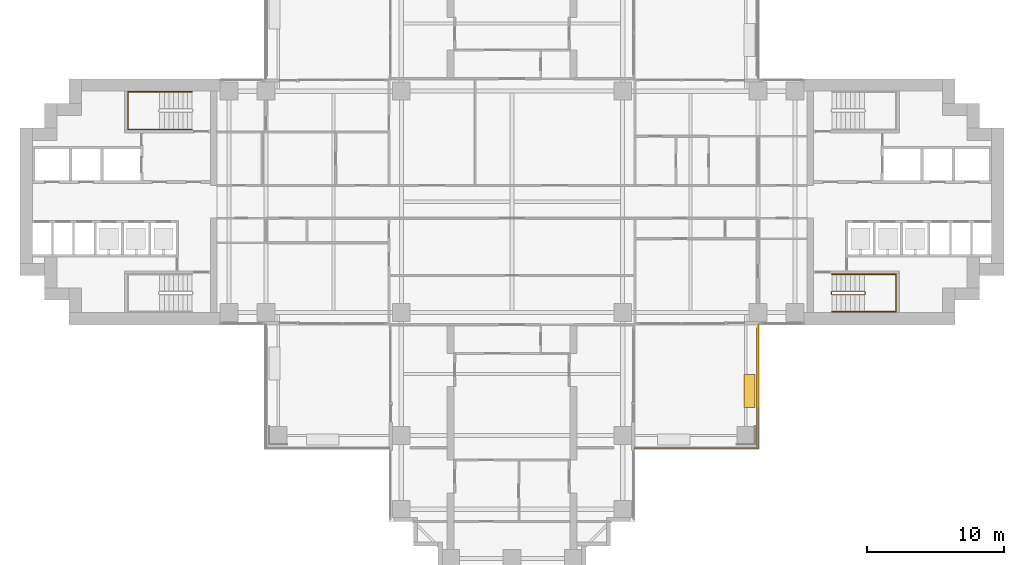
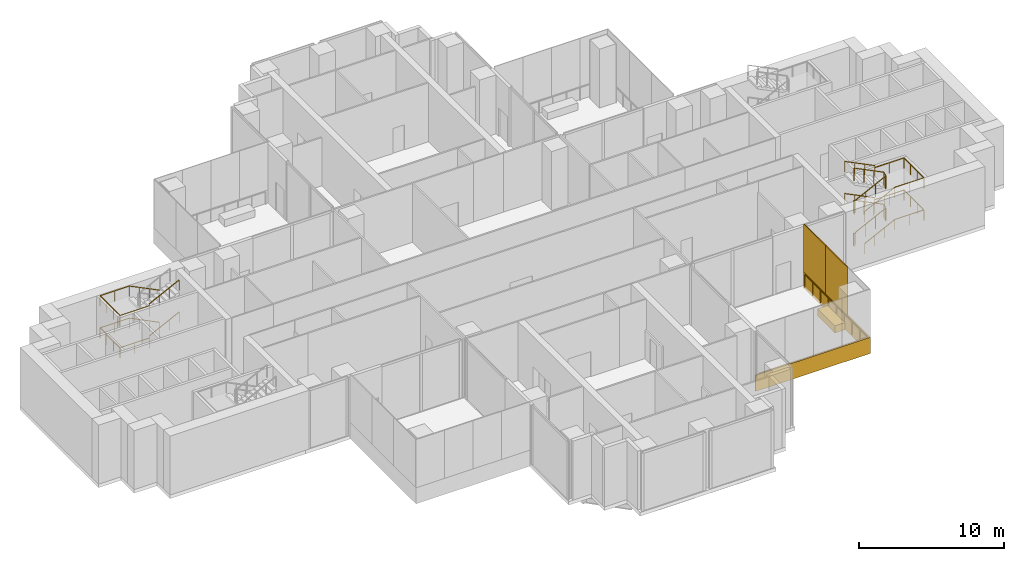
# One storey, part 14 of 17: 6 railings, 4 coverings.
"""IFC4 building model written with IfcOpenShell, lengths in metres."""

from ifc_helpers import new_model, si_unit, direction, frame, origin, origin_2d, place, context, subcontext, project, spatial, polyline, rectangle, outline, extrude, material, layer, layer_set, type_object, element, save


model = new_model("IFC4")

# Units and contexts
model_context = context("Model", 3, precision=1e-05, world=origin(), true_north=direction((0.0, 1.0)))
body_context = subcontext(model_context, "Body", "Model", "MODEL_VIEW")
ifc_project = project(units=[si_unit("LENGTHUNIT", "METRE"), si_unit("AREAUNIT", "SQUARE_METRE"), si_unit("VOLUMEUNIT", "CUBIC_METRE"), si_unit("PLANEANGLEUNIT", "RADIAN"), si_unit("MASSUNIT", "GRAM", prefix="KILO")], contexts=[model_context])

# Site, building, storey
site_placement = place(None, origin())
site = spatial("IfcSite", under=ifc_project, at=site_placement, CompositionType="ELEMENT")
building_placement = place(site_placement, origin())
building = spatial("IfcBuilding", under=site, at=building_placement, Name="Perihelion Cross Residences", CompositionType="ELEMENT")
storey_placement = place(building_placement, frame((0.0, 0.0, 92.5)))
storey = spatial("IfcBuildingStorey", under=building, at=storey_placement, Name="L21", CompositionType="ELEMENT", Elevation=92.5)

# Railing
ifc_material_1 = material(Name="Bronze anodised aluminium", Category="aluminium")
railing_type_1 = type_object("IfcRailingType", Name="Balcony guard 1100", PredefinedType="GUARDRAIL", material=ifc_material_1)
railing_1_placement = place(storey_placement, frame((17.93994140625, -9.25, 0.0)))
element("IfcRailing", 1, at=railing_1_placement, inside=storey, type_object=railing_type_1, Name="Guard GU1 L21 pocket south-east 1", PredefinedType="GUARDRAIL", context=body_context, shape_type="SweptSolid", body=[
    extrude(rectangle(XDim=0.048095703125, YDim=0.048095703125, at=origin_2d()), frame((0.0, 0.0, 1.076171875), z_axis=(0.0, -1.0, 0.0), x_axis=(1.0, 0.0, 0.0)), (0.0, 0.0, 1.0), 8.68994140625),
    extrude(rectangle(XDim=0.048095703125, YDim=0.048095703125, at=origin_2d()), frame((0.0, -8.68994140625, 1.076171875), z_axis=(-1.0, 0.0, 0.0), x_axis=(0.0, -1.0, 0.0)), (0.0, 0.0, 1.0), 8.68994140625),
    extrude(rectangle(XDim=0.0419921875, YDim=0.0419921875, at=origin_2d()), origin(), (0.0, 0.0, 1.0), 1.052001953125),
    extrude(rectangle(XDim=0.0419921875, YDim=0.0419921875, at=origin_2d()), frame((0.0, -1.086181640625, 0.0)), (0.0, 0.0, 1.0), 1.052001953125),
    extrude(rectangle(XDim=0.0419921875, YDim=0.0419921875, at=origin_2d()), frame((0.0, -2.17236328125, 0.0)), (0.0, 0.0, 1.0), 1.052001953125),
    extrude(rectangle(XDim=0.0419921875, YDim=0.0419921875, at=origin_2d()), frame((0.0, -3.2587890625, 0.0)), (0.0, 0.0, 1.0), 1.052001953125),
    extrude(rectangle(XDim=0.0419921875, YDim=0.0419921875, at=origin_2d()), frame((0.0, -4.344970703125, 0.0)), (0.0, 0.0, 1.0), 1.052001953125),
    extrude(rectangle(XDim=0.0419921875, YDim=0.0419921875, at=origin_2d()), frame((0.0, -5.43115234375, 0.0)), (0.0, 0.0, 1.0), 1.052001953125),
    extrude(rectangle(XDim=0.0419921875, YDim=0.0419921875, at=origin_2d()), frame((0.0, -6.517578125, 0.0)), (0.0, 0.0, 1.0), 1.052001953125),
    extrude(rectangle(XDim=0.0419921875, YDim=0.0419921875, at=origin_2d()), frame((0.0, -7.603759765625, 0.0)), (0.0, 0.0, 1.0), 1.052001953125),
    extrude(rectangle(XDim=0.0419921875, YDim=0.0419921875, at=origin_2d()), frame((0.0, -8.68994140625, 0.0)), (0.0, 0.0, 1.0), 1.052001953125),
    extrude(rectangle(XDim=0.0419921875, YDim=0.0419921875, at=origin_2d()), frame((-1.086181640625, -8.68994140625, 0.0)), (0.0, 0.0, 1.0), 1.052001953125),
    extrude(rectangle(XDim=0.0419921875, YDim=0.0419921875, at=origin_2d()), frame((-2.17236328125, -8.68994140625, 0.0)), (0.0, 0.0, 1.0), 1.052001953125),
    extrude(rectangle(XDim=0.0419921875, YDim=0.0419921875, at=origin_2d()), frame((-3.2587890625, -8.68994140625, 0.0)), (0.0, 0.0, 1.0), 1.052001953125),
    extrude(rectangle(XDim=0.0419921875, YDim=0.0419921875, at=origin_2d()), frame((-4.344970703125, -8.68994140625, 0.0)), (0.0, 0.0, 1.0), 1.052001953125),
    extrude(rectangle(XDim=0.0419921875, YDim=0.0419921875, at=origin_2d()), frame((-5.43115234375, -8.68994140625, 0.0)), (0.0, 0.0, 1.0), 1.052001953125),
    extrude(rectangle(XDim=0.0419921875, YDim=0.0419921875, at=origin_2d()), frame((-6.517578125, -8.68994140625, 0.0)), (0.0, 0.0, 1.0), 1.052001953125),
    extrude(rectangle(XDim=0.0419921875, YDim=0.0419921875, at=origin_2d()), frame((-7.603759765625, -8.68994140625, 0.0)), (0.0, 0.0, 1.0), 1.052001953125),
    extrude(rectangle(XDim=0.0419921875, YDim=0.0419921875, at=origin_2d()), frame((-8.68994140625, -8.68994140625, 0.0)), (0.0, 0.0, 1.0), 1.052001953125),
])

# Coverings
ifc_material_2 = material(Name="Precast concrete C40/50", Category="concrete")
covering_type_1 = type_object("IfcCoveringType", Name="Planter box 2400", PredefinedType="USERDEFINED", material=ifc_material_2)
covering_1_placement = place(storey_placement, frame((17.389892578125, -13.85009765625, 0.0), z_axis=(0.0, 0.0, 1.0), x_axis=(0.0, -1.0, 0.0)))
element("IfcCovering", 2, at=covering_1_placement, inside=storey, type_object=covering_type_1, Name="Planter PT1 L21 pocket south-east 1", ObjectType="PLANTER", PredefinedType="USERDEFINED", context=body_context, shape_type="SweptSolid", body=[
    extrude(rectangle(XDim=2.39990234375, YDim=0.800048828125, at=origin_2d()), origin(), (0.0, 0.0, 1.0), 0.60009765625),
])
ifc_material_3 = material(Name="Bronze anodised aluminium", Category="aluminium")
ifc_layer_1 = layer(ifc_material_3, 0.070068359375)
ifc_layer_set_1 = layer_set([ifc_layer_1], Name="Pocket fascia 1350")
covering_type_2 = type_object("IfcCoveringType", Name="Pocket fascia 1350", PredefinedType="CLADDING", material=ifc_layer_set_1)
covering_2_placement = place(storey_placement, frame((0.0, 0.0, -0.25)))
element("IfcCovering", 3, at=covering_2_placement, inside=storey, type_object=covering_type_2, Name="Fascia BF2 L21 pocket south-east 1", PredefinedType="CLADDING", context=body_context, shape_type="SweptSolid", body=[
    extrude(outline(polyline([(8.929931640625, -18.070068359375), (18.070068359375, -18.070068359375), (18.070068359375, -8.929931640625), (18.0, -8.929931640625), (18.0, -9.0), (18.0, -9.0), (18.0, -18.0), (9.0, -18.0), (9.0, -18.0), (8.929931640625, -18.0), (8.929931640625, -18.070068359375)])), origin(), (0.0, 0.0, 1.0), 1.35009765625),
])
ifc_material_4 = material(Name="Bronze perforated aluminium", Category="aluminium")
ifc_layer_2 = layer(ifc_material_4, 0.070068359375)
ifc_layer_set_2 = layer_set([ifc_layer_2], Name="Pocket solar screen, bronze perforated")
covering_type_3 = type_object("IfcCoveringType", Name="Pocket solar screen, bronze perforated", PredefinedType="CLADDING", material=ifc_layer_set_2)
covering_3_placement = place(storey_placement, frame((0.0, 0.0, 1.10009765625)))
element("IfcCovering", 4, at=covering_3_placement, inside=storey, type_object=covering_type_3, Name="Solar screen PS1 L21 pocket south-east no. 2", PredefinedType="CLADDING", context=body_context, shape_type="SweptSolid", body=[
    extrude(outline(polyline([(18.070068359375, -15.0), (18.070068359375, -12.0), (18.0, -12.0), (18.0, -15.0), (18.070068359375, -15.0)])), origin(), (0.0, 0.0, 1.0), 4.0498046875),
])
covering_4_placement = place(storey_placement, frame((0.0, 0.0, 1.10009765625)))
element("IfcCovering", 5, at=covering_4_placement, inside=storey, type_object=covering_type_3, Name="Solar screen PS1 L21 pocket south-east no. 3", PredefinedType="CLADDING", context=body_context, shape_type="SweptSolid", body=[
    extrude(outline(polyline([(18.070068359375, -12.0), (18.070068359375, -9.0), (18.0, -9.0), (18.0, -12.0), (18.070068359375, -12.0)])), origin(), (0.0, 0.0, 1.0), 4.0498046875),
])

# Railings
ifc_material_5 = material(Name="Stainless steel", Category="steel")
railing_type_2 = type_object("IfcRailingType", Name="Stair guard 1100", PredefinedType="GUARDRAIL", material=ifc_material_5)
railing_2_placement = place(storey_placement, frame((23.35009765625, -6.60009765625, 0.0)))
element("IfcRailing", 6, at=railing_2_placement, inside=storey, type_object=railing_type_2, Name="L21 ST-E2 stair guard 1", PredefinedType="GUARDRAIL", context=body_context, shape_type="SweptSolid", body=[
    extrude(rectangle(XDim=0.048095703125, YDim=0.048095703125, at=origin_2d()), frame((0.0, 0.0, 1.076171875), z_axis=(0.0, -1.0, 0.0), x_axis=(1.0, 0.0, 0.0)), (0.0, 0.0, 1.0), 0.14990234375),
    extrude(rectangle(XDim=0.048095703125, YDim=0.048095703125, at=origin_2d()), frame((0.0, -0.14990234375, 1.076171875), z_axis=(0.272333783174, -0.273668752699, 0.922463942026), x_axis=(0.708833529934, 0.705375805398, 0.0)), (0.0, 0.0, 1.0), 0.182861328125),
    extrude(rectangle(XDim=0.048095703125, YDim=0.048095703125, at=origin_2d()), frame((0.0498046875, -0.199951171875, 1.24462890625), z_axis=(0.895728066128, 0.0, 0.444602329674), x_axis=(0.0, 1.0, 0.0)), (0.0, 0.0, 1.0), 2.6572265625),
    extrude(rectangle(XDim=0.048095703125, YDim=0.048095703125, at=origin_2d()), frame((2.429931640625, -0.199951171875, 2.42626953125), z_axis=(0.707106781187, 0.707106781187, 0.0), x_axis=(-0.707106781187, 0.707106781187, 0.0)), (0.0, 0.0, 1.0), 0.07080078125),
    extrude(rectangle(XDim=0.048095703125, YDim=0.048095703125, at=origin_2d()), frame((2.47998046875, -0.14990234375, 2.42626953125), z_axis=(0.0, 1.0, 0.0), x_axis=(-1.0, 0.0, 0.0)), (0.0, 0.0, 1.0), 0.14990234375),
    extrude(rectangle(XDim=0.048095703125, YDim=0.048095703125, at=origin_2d()), frame((2.47998046875, 0.0, 2.42626953125), z_axis=(-0.273569069059, 0.273569069059, 0.922127935218), x_axis=(-0.707106781187, -0.707106781187, 0.0)), (0.0, 0.0, 1.0), 0.182861328125),
    extrude(rectangle(XDim=0.048095703125, YDim=0.048095703125, at=origin_2d()), frame((2.429931640625, 0.050048828125, 2.5947265625), z_axis=(-0.895764654725, 0.0, 0.444528608017), x_axis=(0.0, -1.0, 0.0)), (0.0, 0.0, 1.0), 2.656982421875),
    extrude(rectangle(XDim=0.048095703125, YDim=0.048095703125, at=origin_2d()), frame((0.0498046875, 0.050048828125, 3.77587890625), z_axis=(-0.241699205484, -0.970351222016, 0.0), x_axis=(0.970351222016, -0.241699205484, 0.0)), (0.0, 0.0, 1.0), 0.2060546875),
    extrude(rectangle(XDim=0.048095703125, YDim=0.048095703125, at=origin_2d()), frame((0.0, -0.14990234375, 3.77587890625), z_axis=(0.0, 1.0, 0.0), x_axis=(-1.0, 0.0, 0.0)), (0.0, 0.0, 1.0), 0.14990234375),
    extrude(rectangle(XDim=0.048095703125, YDim=0.048095703125, at=origin_2d()), frame((0.0, 0.0, 3.77587890625), z_axis=(0.187017651923, -0.750820867278, 0.633476458228), x_axis=(0.970351222016, 0.241699205484, 0.0)), (0.0, 0.0, 1.0), 0.266357421875),
    extrude(rectangle(XDim=0.048095703125, YDim=0.048095703125, at=origin_2d()), frame((0.0498046875, -0.199951171875, 3.94482421875), z_axis=(0.895728066128, 0.0, 0.444602329674), x_axis=(0.0, 1.0, 0.0)), (0.0, 0.0, 1.0), 2.6572265625),
    extrude(rectangle(XDim=0.048095703125, YDim=0.048095703125, at=origin_2d()), frame((2.429931640625, -0.199951171875, 5.1259765625), z_axis=(0.707106781187, 0.707106781187, 0.0), x_axis=(-0.707106781187, 0.707106781187, 0.0)), (0.0, 0.0, 1.0), 0.07080078125),
    extrude(rectangle(XDim=0.048095703125, YDim=0.048095703125, at=origin_2d()), frame((2.47998046875, -0.14990234375, 5.1259765625), z_axis=(0.0, 1.0, 0.0), x_axis=(-1.0, 0.0, 0.0)), (0.0, 0.0, 1.0), 0.14990234375),
    extrude(rectangle(XDim=0.048095703125, YDim=0.048095703125, at=origin_2d()), frame((2.47998046875, 0.0, 5.1259765625), z_axis=(-0.273569069059, 0.273569069059, 0.922127935218), x_axis=(-0.707106781187, -0.707106781187, 0.0)), (0.0, 0.0, 1.0), 0.182861328125),
    extrude(rectangle(XDim=0.048095703125, YDim=0.048095703125, at=origin_2d()), frame((2.429931640625, 0.050048828125, 5.294921875), z_axis=(-0.895764654725, 0.0, 0.444528608017), x_axis=(0.0, -1.0, 0.0)), (0.0, 0.0, 1.0), 2.656982421875),
    extrude(rectangle(XDim=0.0419921875, YDim=0.0419921875, at=origin_2d()), origin(), (0.0, 0.0, 1.0), 1.052001953125),
    extrude(rectangle(XDim=0.0419921875, YDim=0.0419921875, at=origin_2d()), frame((0.0, -0.14990234375, 0.0)), (0.0, 0.0, 1.0), 1.052001953125),
    extrude(rectangle(XDim=0.0419921875, YDim=0.0419921875, at=origin_2d()), frame((0.0498046875, -0.199951171875, 0.168701171875)), (0.0, 0.0, 1.0), 1.052001953125),
    extrude(rectangle(XDim=0.0419921875, YDim=0.0419921875, at=origin_2d()), frame((0.84326171875, -0.199951171875, 0.5625)), (0.0, 0.0, 1.0), 1.052001953125),
    extrude(rectangle(XDim=0.0419921875, YDim=0.0419921875, at=origin_2d()), frame((1.636474609375, -0.199951171875, 0.956298828125)), (0.0, 0.0, 1.0), 1.052001953125),
    extrude(rectangle(XDim=0.0419921875, YDim=0.0419921875, at=origin_2d()), frame((2.429931640625, -0.199951171875, 1.35009765625)), (0.0, 0.0, 1.0), 1.052001953125),
    extrude(rectangle(XDim=0.0419921875, YDim=0.0419921875, at=origin_2d()), frame((2.47998046875, -0.14990234375, 1.35009765625)), (0.0, 0.0, 1.0), 1.052001953125),
    extrude(rectangle(XDim=0.0419921875, YDim=0.0419921875, at=origin_2d()), frame((2.47998046875, 0.0, 1.35009765625)), (0.0, 0.0, 1.0), 1.052001953125),
    extrude(rectangle(XDim=0.0419921875, YDim=0.0419921875, at=origin_2d()), frame((2.429931640625, 0.050048828125, 1.518798828125)), (0.0, 0.0, 1.0), 1.052001953125),
    extrude(rectangle(XDim=0.0419921875, YDim=0.0419921875, at=origin_2d()), frame((1.636474609375, 0.050048828125, 1.91259765625)), (0.0, 0.0, 1.0), 1.052001953125),
    extrude(rectangle(XDim=0.0419921875, YDim=0.0419921875, at=origin_2d()), frame((0.84326171875, 0.050048828125, 2.30615234375)), (0.0, 0.0, 1.0), 1.052001953125),
    extrude(rectangle(XDim=0.0419921875, YDim=0.0419921875, at=origin_2d()), frame((0.0498046875, 0.050048828125, 2.699951171875)), (0.0, 0.0, 1.0), 1.052001953125),
    extrude(rectangle(XDim=0.0419921875, YDim=0.0419921875, at=origin_2d()), frame((0.0, -0.14990234375, 2.699951171875)), (0.0, 0.0, 1.0), 1.052001953125),
    extrude(rectangle(XDim=0.0419921875, YDim=0.0419921875, at=origin_2d()), frame((0.0, 0.0, 2.699951171875)), (0.0, 0.0, 1.0), 1.052001953125),
    extrude(rectangle(XDim=0.0419921875, YDim=0.0419921875, at=origin_2d()), frame((0.0498046875, -0.199951171875, 2.86865234375)), (0.0, 0.0, 1.0), 1.052001953125),
    extrude(rectangle(XDim=0.0419921875, YDim=0.0419921875, at=origin_2d()), frame((0.84326171875, -0.199951171875, 3.262451171875)), (0.0, 0.0, 1.0), 1.052001953125),
    extrude(rectangle(XDim=0.0419921875, YDim=0.0419921875, at=origin_2d()), frame((1.636474609375, -0.199951171875, 3.65625)), (0.0, 0.0, 1.0), 1.052001953125),
    extrude(rectangle(XDim=0.0419921875, YDim=0.0419921875, at=origin_2d()), frame((2.429931640625, -0.199951171875, 4.050048828125)), (0.0, 0.0, 1.0), 1.052001953125),
    extrude(rectangle(XDim=0.0419921875, YDim=0.0419921875, at=origin_2d()), frame((2.47998046875, -0.14990234375, 4.050048828125)), (0.0, 0.0, 1.0), 1.052001953125),
    extrude(rectangle(XDim=0.0419921875, YDim=0.0419921875, at=origin_2d()), frame((2.47998046875, 0.0, 4.050048828125)), (0.0, 0.0, 1.0), 1.052001953125),
    extrude(rectangle(XDim=0.0419921875, YDim=0.0419921875, at=origin_2d()), frame((2.429931640625, 0.050048828125, 4.21875)), (0.0, 0.0, 1.0), 1.052001953125),
    extrude(rectangle(XDim=0.0419921875, YDim=0.0419921875, at=origin_2d()), frame((1.636474609375, 0.050048828125, 4.612548828125)), (0.0, 0.0, 1.0), 1.052001953125),
    extrude(rectangle(XDim=0.0419921875, YDim=0.0419921875, at=origin_2d()), frame((0.84326171875, 0.050048828125, 5.006103515625)), (0.0, 0.0, 1.0), 1.052001953125),
    extrude(rectangle(XDim=0.0419921875, YDim=0.0419921875, at=origin_2d()), frame((0.0498046875, 0.050048828125, 5.39990234375)), (0.0, 0.0, 1.0), 1.052001953125),
])
ifc_material_6 = material(Name="Stainless steel", Category="steel")
railing_type_3 = type_object("IfcRailingType", Name="Stair handrail 900", PredefinedType="HANDRAIL", material=ifc_material_6)
railing_3_placement = place(storey_placement, frame((23.39990234375, -8.050048828125, 0.168701171875)))
element("IfcRailing", 7, at=railing_3_placement, inside=storey, type_object=railing_type_3, Name="L21 ST-E2 stair handrail 1", PredefinedType="HANDRAIL", context=body_context, shape_type="SweptSolid", body=[
    extrude(rectangle(XDim=0.048095703125, YDim=0.048095703125, at=origin_2d()), frame((0.0, 0.0, 0.8759765625), z_axis=(0.895728066128, 0.0, 0.444602329674), x_axis=(0.0, 1.0, 0.0)), (0.0, 0.0, 1.0), 2.6572265625),
    extrude(rectangle(XDim=0.048095703125, YDim=0.048095703125, at=origin_2d()), frame((2.380126953125, 0.0, 2.05712890625), z_axis=(1.0, 0.0, 0.0), x_axis=(0.0, 1.0, 0.0)), (0.0, 0.0, 1.0), 2.320068359375),
    extrude(rectangle(XDim=0.048095703125, YDim=0.048095703125, at=origin_2d()), frame((4.7001953125, 0.0, 2.05712890625), z_axis=(0.0, 1.0, 0.0), x_axis=(-1.0, 0.0, 0.0)), (0.0, 0.0, 1.0), 2.75),
    extrude(rectangle(XDim=0.048095703125, YDim=0.048095703125, at=origin_2d()), frame((4.7001953125, 2.75, 2.05712890625), z_axis=(-1.0, 0.0, 0.0), x_axis=(0.0, -1.0, 0.0)), (0.0, 0.0, 1.0), 2.320068359375),
    extrude(rectangle(XDim=0.048095703125, YDim=0.048095703125, at=origin_2d()), frame((2.380126953125, 2.75, 2.05712890625), z_axis=(0.0, 0.0, 1.0), x_axis=(1.0, 0.0, 0.0)), (0.0, 0.0, 1.0), 0.168701171875),
    extrude(rectangle(XDim=0.048095703125, YDim=0.048095703125, at=origin_2d()), frame((2.380126953125, 2.75, 2.22607421875), z_axis=(-0.895764654725, 0.0, 0.444528608017), x_axis=(0.0, -1.0, 0.0)), (0.0, 0.0, 1.0), 2.656982421875),
    extrude(rectangle(XDim=0.0419921875, YDim=0.0419921875, at=origin_2d()), origin(), (0.0, 0.0, 1.0), 0.851806640625),
    extrude(rectangle(XDim=0.0419921875, YDim=0.0419921875, at=origin_2d()), frame((0.79345703125, 0.0, 0.393798828125)), (0.0, 0.0, 1.0), 0.851806640625),
    extrude(rectangle(XDim=0.0419921875, YDim=0.0419921875, at=origin_2d()), frame((1.586669921875, 0.0, 0.78759765625)), (0.0, 0.0, 1.0), 0.851806640625),
    extrude(rectangle(XDim=0.0419921875, YDim=0.0419921875, at=origin_2d()), frame((2.380126953125, 0.0, 1.181396484375)), (0.0, 0.0, 1.0), 0.851806640625),
    extrude(rectangle(XDim=0.0419921875, YDim=0.0419921875, at=origin_2d()), frame((3.5400390625, 0.0, 1.181396484375)), (0.0, 0.0, 1.0), 0.851806640625),
    extrude(rectangle(XDim=0.0419921875, YDim=0.0419921875, at=origin_2d()), frame((4.7001953125, 0.0, 1.181396484375)), (0.0, 0.0, 1.0), 0.851806640625),
    extrude(rectangle(XDim=0.0419921875, YDim=0.0419921875, at=origin_2d()), frame((4.7001953125, 0.916748046875, 1.181396484375)), (0.0, 0.0, 1.0), 0.851806640625),
    extrude(rectangle(XDim=0.0419921875, YDim=0.0419921875, at=origin_2d()), frame((4.7001953125, 1.833251953125, 1.181396484375)), (0.0, 0.0, 1.0), 0.851806640625),
    extrude(rectangle(XDim=0.0419921875, YDim=0.0419921875, at=origin_2d()), frame((4.7001953125, 2.75, 1.181396484375)), (0.0, 0.0, 1.0), 0.851806640625),
    extrude(rectangle(XDim=0.0419921875, YDim=0.0419921875, at=origin_2d()), frame((3.5400390625, 2.75, 1.181396484375)), (0.0, 0.0, 1.0), 0.851806640625),
    extrude(rectangle(XDim=0.0419921875, YDim=0.0419921875, at=origin_2d()), frame((2.380126953125, 2.75, 1.181396484375)), (0.0, 0.0, 1.0), 0.851806640625),
    extrude(rectangle(XDim=0.0419921875, YDim=0.0419921875, at=origin_2d()), frame((2.380126953125, 2.75, 1.35009765625)), (0.0, 0.0, 1.0), 0.851806640625),
    extrude(rectangle(XDim=0.0419921875, YDim=0.0419921875, at=origin_2d()), frame((1.586669921875, 2.75, 1.743896484375)), (0.0, 0.0, 1.0), 0.851806640625),
    extrude(rectangle(XDim=0.0419921875, YDim=0.0419921875, at=origin_2d()), frame((0.79345703125, 2.75, 2.137451171875)), (0.0, 0.0, 1.0), 0.851806640625),
    extrude(rectangle(XDim=0.0419921875, YDim=0.0419921875, at=origin_2d()), frame((0.0, 2.75, 2.53125)), (0.0, 0.0, 1.0), 0.851806640625),
])
railing_4_placement = place(storey_placement, frame((23.39990234375, -8.050048828125, 2.86865234375)))
element("IfcRailing", 8, at=railing_4_placement, inside=storey, type_object=railing_type_3, Name="L21 ST-E2 stair handrail 2", PredefinedType="HANDRAIL", context=body_context, shape_type="SweptSolid", body=[
    extrude(rectangle(XDim=0.048095703125, YDim=0.048095703125, at=origin_2d()), frame((0.0, 0.0, 0.8759765625), z_axis=(0.895728066128, 0.0, 0.444602329674), x_axis=(0.0, 1.0, 0.0)), (0.0, 0.0, 1.0), 2.6572265625),
    extrude(rectangle(XDim=0.048095703125, YDim=0.048095703125, at=origin_2d()), frame((2.380126953125, 0.0, 2.05712890625), z_axis=(1.0, 0.0, 0.0), x_axis=(0.0, 1.0, 0.0)), (0.0, 0.0, 1.0), 2.320068359375),
    extrude(rectangle(XDim=0.048095703125, YDim=0.048095703125, at=origin_2d()), frame((4.7001953125, 0.0, 2.05712890625), z_axis=(0.0, 1.0, 0.0), x_axis=(-1.0, 0.0, 0.0)), (0.0, 0.0, 1.0), 2.75),
    extrude(rectangle(XDim=0.048095703125, YDim=0.048095703125, at=origin_2d()), frame((4.7001953125, 2.75, 2.05712890625), z_axis=(-1.0, 0.0, 0.0), x_axis=(0.0, -1.0, 0.0)), (0.0, 0.0, 1.0), 2.320068359375),
    extrude(rectangle(XDim=0.048095703125, YDim=0.048095703125, at=origin_2d()), frame((2.380126953125, 2.75, 2.05712890625), z_axis=(0.0, 0.0, 1.0), x_axis=(1.0, 0.0, 0.0)), (0.0, 0.0, 1.0), 0.168701171875),
    extrude(rectangle(XDim=0.048095703125, YDim=0.048095703125, at=origin_2d()), frame((2.380126953125, 2.75, 2.22607421875), z_axis=(-0.895764654725, 0.0, 0.444528608017), x_axis=(0.0, -1.0, 0.0)), (0.0, 0.0, 1.0), 2.656982421875),
    extrude(rectangle(XDim=0.0419921875, YDim=0.0419921875, at=origin_2d()), origin(), (0.0, 0.0, 1.0), 0.851806640625),
    extrude(rectangle(XDim=0.0419921875, YDim=0.0419921875, at=origin_2d()), frame((0.79345703125, 0.0, 0.393798828125)), (0.0, 0.0, 1.0), 0.851806640625),
    extrude(rectangle(XDim=0.0419921875, YDim=0.0419921875, at=origin_2d()), frame((1.586669921875, 0.0, 0.78759765625)), (0.0, 0.0, 1.0), 0.851806640625),
    extrude(rectangle(XDim=0.0419921875, YDim=0.0419921875, at=origin_2d()), frame((2.380126953125, 0.0, 1.181396484375)), (0.0, 0.0, 1.0), 0.851806640625),
    extrude(rectangle(XDim=0.0419921875, YDim=0.0419921875, at=origin_2d()), frame((3.5400390625, 0.0, 1.181396484375)), (0.0, 0.0, 1.0), 0.851806640625),
    extrude(rectangle(XDim=0.0419921875, YDim=0.0419921875, at=origin_2d()), frame((4.7001953125, 0.0, 1.181396484375)), (0.0, 0.0, 1.0), 0.851806640625),
    extrude(rectangle(XDim=0.0419921875, YDim=0.0419921875, at=origin_2d()), frame((4.7001953125, 0.916748046875, 1.181396484375)), (0.0, 0.0, 1.0), 0.851806640625),
    extrude(rectangle(XDim=0.0419921875, YDim=0.0419921875, at=origin_2d()), frame((4.7001953125, 1.833251953125, 1.181396484375)), (0.0, 0.0, 1.0), 0.851806640625),
    extrude(rectangle(XDim=0.0419921875, YDim=0.0419921875, at=origin_2d()), frame((4.7001953125, 2.75, 1.181396484375)), (0.0, 0.0, 1.0), 0.851806640625),
    extrude(rectangle(XDim=0.0419921875, YDim=0.0419921875, at=origin_2d()), frame((3.5400390625, 2.75, 1.181396484375)), (0.0, 0.0, 1.0), 0.851806640625),
    extrude(rectangle(XDim=0.0419921875, YDim=0.0419921875, at=origin_2d()), frame((2.380126953125, 2.75, 1.181396484375)), (0.0, 0.0, 1.0), 0.851806640625),
    extrude(rectangle(XDim=0.0419921875, YDim=0.0419921875, at=origin_2d()), frame((2.380126953125, 2.75, 1.35009765625)), (0.0, 0.0, 1.0), 0.851806640625),
    extrude(rectangle(XDim=0.0419921875, YDim=0.0419921875, at=origin_2d()), frame((1.586669921875, 2.75, 1.743896484375)), (0.0, 0.0, 1.0), 0.851806640625),
    extrude(rectangle(XDim=0.0419921875, YDim=0.0419921875, at=origin_2d()), frame((0.79345703125, 2.75, 2.137451171875)), (0.0, 0.0, 1.0), 0.851806640625),
    extrude(rectangle(XDim=0.0419921875, YDim=0.0419921875, at=origin_2d()), frame((0.0, 2.75, 2.53125)), (0.0, 0.0, 1.0), 0.851806640625),
])
railing_5_placement = place(storey_placement, frame((-23.39990234375, 8.050048828125, 0.168701171875)))
element("IfcRailing", 9, at=railing_5_placement, inside=storey, type_object=railing_type_3, Name="L21 ST-W1 stair handrail 1", PredefinedType="HANDRAIL", context=body_context, shape_type="SweptSolid", body=[
    extrude(rectangle(XDim=0.048095703125, YDim=0.048095703125, at=origin_2d()), frame((0.0, 0.0, 0.8759765625), z_axis=(-0.895728066128, 0.0, 0.444602329674), x_axis=(0.0, -1.0, 0.0)), (0.0, 0.0, 1.0), 2.6572265625),
    extrude(rectangle(XDim=0.048095703125, YDim=0.048095703125, at=origin_2d()), frame((-2.380126953125, 0.0, 2.05712890625), z_axis=(-1.0, 0.0, 0.0), x_axis=(0.0, -1.0, 0.0)), (0.0, 0.0, 1.0), 2.320068359375),
    extrude(rectangle(XDim=0.048095703125, YDim=0.048095703125, at=origin_2d()), frame((-4.7001953125, 0.0, 2.05712890625), z_axis=(0.0, -1.0, 0.0), x_axis=(1.0, 0.0, 0.0)), (0.0, 0.0, 1.0), 2.75),
    extrude(rectangle(XDim=0.048095703125, YDim=0.048095703125, at=origin_2d()), frame((-4.7001953125, -2.75, 2.05712890625), z_axis=(1.0, 0.0, 0.0), x_axis=(0.0, 1.0, 0.0)), (0.0, 0.0, 1.0), 2.320068359375),
    extrude(rectangle(XDim=0.048095703125, YDim=0.048095703125, at=origin_2d()), frame((-2.380126953125, -2.75, 2.05712890625), z_axis=(0.0, 0.0, 1.0), x_axis=(1.0, 0.0, 0.0)), (0.0, 0.0, 1.0), 0.168701171875),
    extrude(rectangle(XDim=0.048095703125, YDim=0.048095703125, at=origin_2d()), frame((-2.380126953125, -2.75, 2.22607421875), z_axis=(0.895764654725, 0.0, 0.444528608017), x_axis=(0.0, 1.0, 0.0)), (0.0, 0.0, 1.0), 2.656982421875),
    extrude(rectangle(XDim=0.0419921875, YDim=0.0419921875, at=origin_2d()), origin(), (0.0, 0.0, 1.0), 0.851806640625),
    extrude(rectangle(XDim=0.0419921875, YDim=0.0419921875, at=origin_2d()), frame((-0.79345703125, 0.0, 0.393798828125)), (0.0, 0.0, 1.0), 0.851806640625),
    extrude(rectangle(XDim=0.0419921875, YDim=0.0419921875, at=origin_2d()), frame((-1.586669921875, 0.0, 0.78759765625)), (0.0, 0.0, 1.0), 0.851806640625),
    extrude(rectangle(XDim=0.0419921875, YDim=0.0419921875, at=origin_2d()), frame((-2.380126953125, 0.0, 1.181396484375)), (0.0, 0.0, 1.0), 0.851806640625),
    extrude(rectangle(XDim=0.0419921875, YDim=0.0419921875, at=origin_2d()), frame((-3.5400390625, 0.0, 1.181396484375)), (0.0, 0.0, 1.0), 0.851806640625),
    extrude(rectangle(XDim=0.0419921875, YDim=0.0419921875, at=origin_2d()), frame((-4.7001953125, 0.0, 1.181396484375)), (0.0, 0.0, 1.0), 0.851806640625),
    extrude(rectangle(XDim=0.0419921875, YDim=0.0419921875, at=origin_2d()), frame((-4.7001953125, -0.916748046875, 1.181396484375)), (0.0, 0.0, 1.0), 0.851806640625),
    extrude(rectangle(XDim=0.0419921875, YDim=0.0419921875, at=origin_2d()), frame((-4.7001953125, -1.833251953125, 1.181396484375)), (0.0, 0.0, 1.0), 0.851806640625),
    extrude(rectangle(XDim=0.0419921875, YDim=0.0419921875, at=origin_2d()), frame((-4.7001953125, -2.75, 1.181396484375)), (0.0, 0.0, 1.0), 0.851806640625),
    extrude(rectangle(XDim=0.0419921875, YDim=0.0419921875, at=origin_2d()), frame((-3.5400390625, -2.75, 1.181396484375)), (0.0, 0.0, 1.0), 0.851806640625),
    extrude(rectangle(XDim=0.0419921875, YDim=0.0419921875, at=origin_2d()), frame((-2.380126953125, -2.75, 1.181396484375)), (0.0, 0.0, 1.0), 0.851806640625),
    extrude(rectangle(XDim=0.0419921875, YDim=0.0419921875, at=origin_2d()), frame((-2.380126953125, -2.75, 1.35009765625)), (0.0, 0.0, 1.0), 0.851806640625),
    extrude(rectangle(XDim=0.0419921875, YDim=0.0419921875, at=origin_2d()), frame((-1.586669921875, -2.75, 1.743896484375)), (0.0, 0.0, 1.0), 0.851806640625),
    extrude(rectangle(XDim=0.0419921875, YDim=0.0419921875, at=origin_2d()), frame((-0.79345703125, -2.75, 2.137451171875)), (0.0, 0.0, 1.0), 0.851806640625),
    extrude(rectangle(XDim=0.0419921875, YDim=0.0419921875, at=origin_2d()), frame((0.0, -2.75, 2.53125)), (0.0, 0.0, 1.0), 0.851806640625),
])
railing_6_placement = place(storey_placement, frame((-23.39990234375, 8.050048828125, 2.86865234375)))
element("IfcRailing", 10, at=railing_6_placement, inside=storey, type_object=railing_type_3, Name="L21 ST-W1 stair handrail 2", PredefinedType="HANDRAIL", context=body_context, shape_type="SweptSolid", body=[
    extrude(rectangle(XDim=0.048095703125, YDim=0.048095703125, at=origin_2d()), frame((0.0, 0.0, 0.8759765625), z_axis=(-0.895728066128, 0.0, 0.444602329674), x_axis=(0.0, -1.0, 0.0)), (0.0, 0.0, 1.0), 2.6572265625),
    extrude(rectangle(XDim=0.048095703125, YDim=0.048095703125, at=origin_2d()), frame((-2.380126953125, 0.0, 2.05712890625), z_axis=(-1.0, 0.0, 0.0), x_axis=(0.0, -1.0, 0.0)), (0.0, 0.0, 1.0), 2.320068359375),
    extrude(rectangle(XDim=0.048095703125, YDim=0.048095703125, at=origin_2d()), frame((-4.7001953125, 0.0, 2.05712890625), z_axis=(0.0, -1.0, 0.0), x_axis=(1.0, 0.0, 0.0)), (0.0, 0.0, 1.0), 2.75),
    extrude(rectangle(XDim=0.048095703125, YDim=0.048095703125, at=origin_2d()), frame((-4.7001953125, -2.75, 2.05712890625), z_axis=(1.0, 0.0, 0.0), x_axis=(0.0, 1.0, 0.0)), (0.0, 0.0, 1.0), 2.320068359375),
    extrude(rectangle(XDim=0.048095703125, YDim=0.048095703125, at=origin_2d()), frame((-2.380126953125, -2.75, 2.05712890625), z_axis=(0.0, 0.0, 1.0), x_axis=(1.0, 0.0, 0.0)), (0.0, 0.0, 1.0), 0.168701171875),
    extrude(rectangle(XDim=0.048095703125, YDim=0.048095703125, at=origin_2d()), frame((-2.380126953125, -2.75, 2.22607421875), z_axis=(0.895764654725, 0.0, 0.444528608017), x_axis=(0.0, 1.0, 0.0)), (0.0, 0.0, 1.0), 2.656982421875),
    extrude(rectangle(XDim=0.0419921875, YDim=0.0419921875, at=origin_2d()), origin(), (0.0, 0.0, 1.0), 0.851806640625),
    extrude(rectangle(XDim=0.0419921875, YDim=0.0419921875, at=origin_2d()), frame((-0.79345703125, 0.0, 0.393798828125)), (0.0, 0.0, 1.0), 0.851806640625),
    extrude(rectangle(XDim=0.0419921875, YDim=0.0419921875, at=origin_2d()), frame((-1.586669921875, 0.0, 0.78759765625)), (0.0, 0.0, 1.0), 0.851806640625),
    extrude(rectangle(XDim=0.0419921875, YDim=0.0419921875, at=origin_2d()), frame((-2.380126953125, 0.0, 1.181396484375)), (0.0, 0.0, 1.0), 0.851806640625),
    extrude(rectangle(XDim=0.0419921875, YDim=0.0419921875, at=origin_2d()), frame((-3.5400390625, 0.0, 1.181396484375)), (0.0, 0.0, 1.0), 0.851806640625),
    extrude(rectangle(XDim=0.0419921875, YDim=0.0419921875, at=origin_2d()), frame((-4.7001953125, 0.0, 1.181396484375)), (0.0, 0.0, 1.0), 0.851806640625),
    extrude(rectangle(XDim=0.0419921875, YDim=0.0419921875, at=origin_2d()), frame((-4.7001953125, -0.916748046875, 1.181396484375)), (0.0, 0.0, 1.0), 0.851806640625),
    extrude(rectangle(XDim=0.0419921875, YDim=0.0419921875, at=origin_2d()), frame((-4.7001953125, -1.833251953125, 1.181396484375)), (0.0, 0.0, 1.0), 0.851806640625),
    extrude(rectangle(XDim=0.0419921875, YDim=0.0419921875, at=origin_2d()), frame((-4.7001953125, -2.75, 1.181396484375)), (0.0, 0.0, 1.0), 0.851806640625),
    extrude(rectangle(XDim=0.0419921875, YDim=0.0419921875, at=origin_2d()), frame((-3.5400390625, -2.75, 1.181396484375)), (0.0, 0.0, 1.0), 0.851806640625),
    extrude(rectangle(XDim=0.0419921875, YDim=0.0419921875, at=origin_2d()), frame((-2.380126953125, -2.75, 1.181396484375)), (0.0, 0.0, 1.0), 0.851806640625),
    extrude(rectangle(XDim=0.0419921875, YDim=0.0419921875, at=origin_2d()), frame((-2.380126953125, -2.75, 1.35009765625)), (0.0, 0.0, 1.0), 0.851806640625),
    extrude(rectangle(XDim=0.0419921875, YDim=0.0419921875, at=origin_2d()), frame((-1.586669921875, -2.75, 1.743896484375)), (0.0, 0.0, 1.0), 0.851806640625),
    extrude(rectangle(XDim=0.0419921875, YDim=0.0419921875, at=origin_2d()), frame((-0.79345703125, -2.75, 2.137451171875)), (0.0, 0.0, 1.0), 0.851806640625),
    extrude(rectangle(XDim=0.0419921875, YDim=0.0419921875, at=origin_2d()), frame((0.0, -2.75, 2.53125)), (0.0, 0.0, 1.0), 0.851806640625),
])

save(model, "model.ifc")
